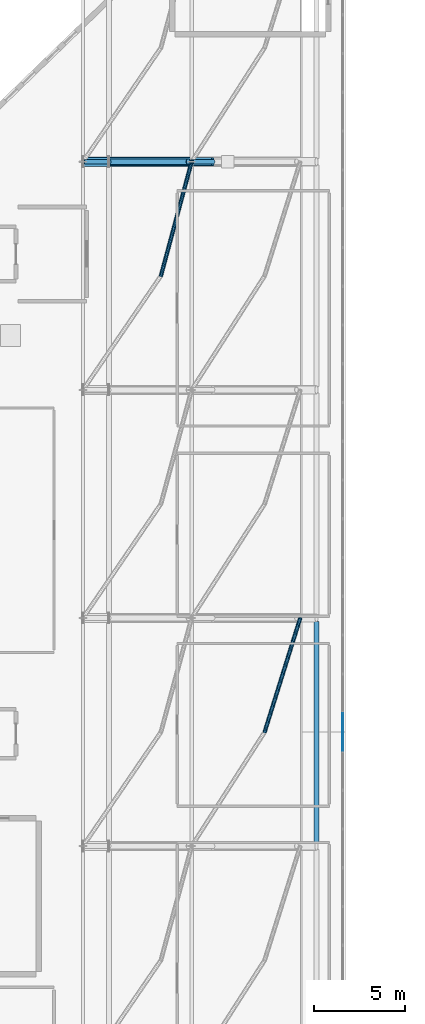
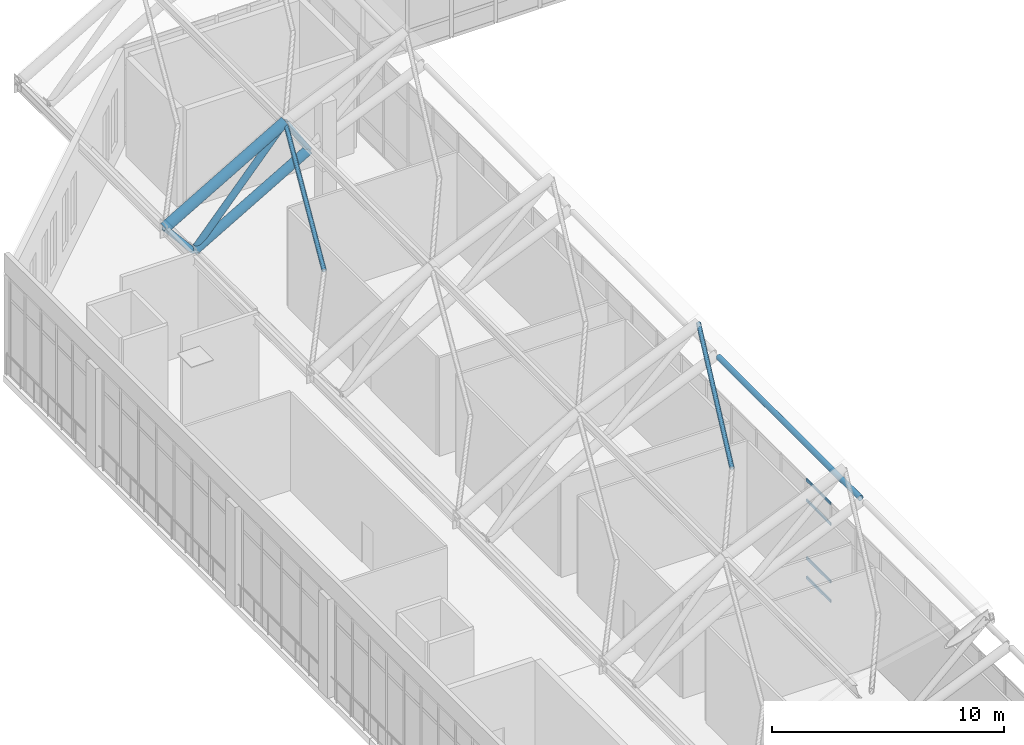
# One storey, part 15 of 42: 12 members, 1 element without a shape of its own.
"""IFC4 building model written with IfcOpenShell, lengths in metres."""

from ifc_helpers import new_model, si_unit, derived_unit, direction, frame, origin, origin_2d, place, context, subcontext, project, spatial, rectangle, hollow_circle, extrude, material, layer, layer_set, material_profile, profile_set, type_object, element, aggregate, save


model = new_model("IFC4")

# Units and contexts
model_context = context("Model", 3, precision=1e-05, world=origin(), true_north=direction((0.0, 1.0)))
body_context = subcontext(model_context, "Body", "Model", "MODEL_VIEW")
ifc_project = project(units=[si_unit("LENGTHUNIT", "METRE"), si_unit("AREAUNIT", "SQUARE_METRE"), si_unit("VOLUMEUNIT", "CUBIC_METRE"), si_unit("PLANEANGLEUNIT", "RADIAN"), si_unit("MASSUNIT", "GRAM", prefix="KILO"), derived_unit("THERMALTRANSMITTANCEUNIT", [(si_unit("MASSUNIT", "GRAM", prefix="KILO"), 1), (si_unit("TIMEUNIT", "SECOND"), -3), (si_unit("THERMODYNAMICTEMPERATUREUNIT", "KELVIN"), -1)])], contexts=[model_context])

# Site, building, storey
site_placement = place(None, origin())
site = spatial("IfcSite", under=ifc_project, at=site_placement, CompositionType="ELEMENT")
building_placement = place(site_placement, origin())
building = spatial("IfcBuilding", under=site, at=building_placement, Name="Valcora Ridge Arena", CompositionType="ELEMENT")
storey_placement = place(building_placement, frame((0.0, 0.0, 26.39990234375)))
storey = spatial("IfcBuildingStorey", under=building, at=storey_placement, Name="L05", CompositionType="ELEMENT", Elevation=26.39990234375)

# Curtain wall, members
ifc_material_1 = material(Name="Anodised dark bronze architectural aluminium 6063-T6", Category="aluminium")
ifc_layer = layer(ifc_material_1, 0.14990234375, Name="Anodised dark bronze architectural aluminium 6063-T6")
ifc_layer_set = layer_set([ifc_layer], Name="Anodised dark bronze architectural aluminium 6063-T6")
curtain_wall_type = type_object("IfcCurtainWallType", Name="TY-CURTAINWALL-CW-V1-SKY-878X52", PredefinedType="NOTDEFINED", material=ifc_layer_set)
curtain_wall_placement = place(storey_placement, origin())
curtain_wall = element("IfcCurtainWall", 1, at=curtain_wall_placement, inside=storey, type_object=curtain_wall_type, Name="CW-V1-SKY-878X52 CW-0171", PredefinedType="NOTDEFINED")
ifc_material_profile_1 = material_profile(ifc_material_1, rectangle(XDim=0.050048828125, YDim=0.14990234375, at=origin_2d()), Name="ALU TRANSOM 50x150")
ifc_profile_set_1 = profile_set([ifc_material_profile_1], Name="Anodised dark bronze architectural aluminium 6063-T6")
member_type_1 = type_object("IfcMemberType", Name="TY-MEM-CWT-50x150", PredefinedType="USERDEFINED", material=ifc_profile_set_1)
member_1_placement = place(storey_placement, frame((38.35009765625, 63.053955078125, 0.025146484375), z_axis=(0.0, 1.0, 0.0), x_axis=(-1.0, 0.0, 0.0)))
member_1 = element("IfcMember", 2, at=member_1_placement, type_object=member_type_1, Name="CW-0171/CWT-50x150/T20-00", ObjectType="TRANSOM", PredefinedType="USERDEFINED", context=body_context, shape_type="SweptSolid", body=[
    extrude(rectangle(XDim=0.050048828125, YDim=0.14990234375, at=origin_2d()), origin(), (0.0, 0.0, 1.0), 2.092041015625),
])
member_2_placement = place(storey_placement, frame((38.35009765625, 63.053955078125, 1.050048828125), z_axis=(0.0, 1.0, 0.0), x_axis=(-1.0, 0.0, 0.0)))
member_2 = element("IfcMember", 3, at=member_2_placement, type_object=member_type_1, Name="CW-0171/CWT-50x150/T20-01", ObjectType="TRANSOM", PredefinedType="USERDEFINED", context=body_context, shape_type="SweptSolid", body=[
    extrude(rectangle(XDim=0.050048828125, YDim=0.14990234375, at=origin_2d()), origin(), (0.0, 0.0, 1.0), 2.092041015625),
])
member_3_placement = place(storey_placement, frame((38.35009765625, 63.053955078125, 4.080078125), z_axis=(0.0, 1.0, 0.0), x_axis=(-1.0, 0.0, 0.0)))
member_3 = element("IfcMember", 4, at=member_3_placement, type_object=member_type_1, Name="CW-0171/CWT-50x150/T20-02", ObjectType="TRANSOM", PredefinedType="USERDEFINED", context=body_context, shape_type="SweptSolid", body=[
    extrude(rectangle(XDim=0.050048828125, YDim=0.14990234375, at=origin_2d()), origin(), (0.0, 0.0, 1.0), 2.092041015625),
])
member_4_placement = place(storey_placement, frame((38.35009765625, 63.053955078125, 5.155029296875), z_axis=(0.0, 1.0, 0.0), x_axis=(-1.0, 0.0, 0.0)))
member_4 = element("IfcMember", 5, at=member_4_placement, type_object=member_type_1, Name="CW-0171/CWT-50x150/T20-03", ObjectType="TRANSOM", PredefinedType="USERDEFINED", context=body_context, shape_type="SweptSolid", body=[
    extrude(rectangle(XDim=0.050048828125, YDim=0.14990234375, at=origin_2d()), origin(), (0.0, 0.0, 1.0), 2.092041015625),
])
aggregate(curtain_wall, [member_1, member_2, member_3, member_4])

# Members
ifc_material_2 = material(Name="Steel ASTM A500 Grade C", Category="steel")
ifc_material_profile_2 = material_profile(ifc_material_2, hollow_circle(Radius=0.228515625, WallThickness=0.01611328125, at=origin_2d()), Name="CHS457X16")
ifc_profile_set_2 = profile_set([ifc_material_profile_2], Name="Steel ASTM A500 Grade C")
member_type_2 = type_object("IfcMemberType", Name="TY-MEMBER-SFBC-457", PredefinedType="CHORD", material=ifc_profile_set_2)
member_5_placement = place(storey_placement, frame((25.438232421875, 95.60009765625, 3.234130859375), z_axis=(0.864898384633, 0.0, 0.501946993476), x_axis=(0.0, 1.0, 0.0)))
element("IfcMember", 6, at=member_5_placement, inside=storey, type_object=member_type_2, Name="SFBC-457 Space Frame Bottom Chord", PredefinedType="CHORD", context=body_context, shape_type="SweptSolid", body=[
    extrude(hollow_circle(Radius=0.228515625, WallThickness=0.01611328125, at=origin_2d()), origin(), (0.0, 0.0, 1.0), 6.62353515625),
])
ifc_material_profile_3 = material_profile(ifc_material_2, hollow_circle(Radius=0.136474609375, WallThickness=0.012451171875, at=origin_2d()), Name="CHS273X12")
ifc_profile_set_3 = profile_set([ifc_material_profile_3], Name="Steel ASTM A500 Grade C")
member_type_3 = type_object("IfcMemberType", Name="TY-MEMBER-SFBT-273", PredefinedType="STRUT", material=ifc_profile_set_3)
member_6_placement = place(storey_placement, frame((36.895751953125, 57.97998046875, 9.039306640625), z_axis=(0.0, 1.0, 0.0), x_axis=(-1.0, 0.0, 0.0)))
element("IfcMember", 7, at=member_6_placement, inside=storey, type_object=member_type_3, Name="SFBT-273 Space Frame Bottom Strut", PredefinedType="STRUT", context=body_context, shape_type="SweptSolid", body=[
    extrude(hollow_circle(Radius=0.136474609375, WallThickness=0.012451171875, at=origin_2d()), origin(), (0.0, 0.0, 1.0), 12.239990234375),
])
ifc_material_profile_4 = material_profile(ifc_material_2, hollow_circle(Radius=0.136474609375, WallThickness=0.012451171875, at=origin_2d()), Name="CHS273X12")
ifc_profile_set_4 = profile_set([ifc_material_profile_4], Name="Steel ASTM A500 Grade C")
member_type_4 = type_object("IfcMemberType", Name="TY-MEMBER-SFKP-273", PredefinedType="POST", material=ifc_profile_set_4)
member_7_placement = place(storey_placement, frame((25.438232421875, 95.60009765625, 3.234130859375), z_axis=(-0.642337596391, 0.0, 0.766421823974), x_axis=(0.0, -1.0, 0.0)))
element("IfcMember", 8, at=member_7_placement, inside=storey, type_object=member_type_4, Name="SFKP-273 Space Frame King Post", PredefinedType="POST", context=body_context, shape_type="SweptSolid", body=[
    extrude(hollow_circle(Radius=0.136474609375, WallThickness=0.012451171875, at=origin_2d()), origin(), (0.0, 0.0, 1.0), 2.239013671875),
])
member_8_placement = place(storey_placement, frame((31.1669921875, 95.60009765625, 6.558837890625), z_axis=(-0.528755468485, 0.0, 0.848774207047), x_axis=(0.0, -1.0, 0.0)))
element("IfcMember", 9, at=member_8_placement, inside=storey, type_object=member_type_4, Name="SFKP-273 Space Frame King Post", PredefinedType="POST", context=body_context, shape_type="SweptSolid", body=[
    extrude(hollow_circle(Radius=0.136474609375, WallThickness=0.012451171875, at=origin_2d()), origin(), (0.0, 0.0, 1.0), 2.20703125),
])
ifc_material_profile_5 = material_profile(ifc_material_2, hollow_circle(Radius=0.109619140625, WallThickness=0.010009765625, at=origin_2d()), Name="CHS219X10")
ifc_profile_set_5 = profile_set([ifc_material_profile_5], Name="Steel ASTM A500 Grade C")
member_type_5 = type_object("IfcMemberType", Name="TY-MEMBER-SFST-219", PredefinedType="STRUT", material=ifc_profile_set_5)
member_9_placement = place(storey_placement, frame((34.031494140625, 64.10009765625, 7.895751953125), z_axis=(0.269415146717, 0.862208662518, 0.42896585062), x_axis=(-0.954487875904, 0.298249718781, 0.0)))
element("IfcMember", 10, at=member_9_placement, inside=storey, type_object=member_type_5, Name="SFST-219 Space Frame Tie Strut", PredefinedType="STRUT", context=body_context, shape_type="SweptSolid", body=[
    extrude(hollow_circle(Radius=0.109619140625, WallThickness=0.010009765625, at=origin_2d()), origin(), (0.0, 0.0, 1.0), 7.306640625),
])
member_10_placement = place(storey_placement, frame((28.302734375, 89.300048828125, 5.01220703125), z_axis=(0.230399293261, 0.855214868037, 0.464245296317), x_axis=(-0.965573476233, 0.260130471101, 0.0)))
element("IfcMember", 11, at=member_10_placement, inside=storey, type_object=member_type_5, Name="SFST-219 Space Frame Tie Strut", PredefinedType="STRUT", context=body_context, shape_type="SweptSolid", body=[
    extrude(hollow_circle(Radius=0.109619140625, WallThickness=0.010009765625, at=origin_2d()), origin(), (0.0, 0.0, 1.0), 7.36669921875),
])
ifc_material_profile_6 = material_profile(ifc_material_2, hollow_circle(Radius=0.25390625, WallThickness=0.01611328125, at=origin_2d()), Name="CHS508X16")
ifc_profile_set_6 = profile_set([ifc_material_profile_6], Name="Steel ASTM A500 Grade C")
member_type_6 = type_object("IfcMemberType", Name="TY-MEMBER-SFTC-508", PredefinedType="CHORD", material=ifc_profile_set_6)
member_11_placement = place(storey_placement, frame((24.0, 95.60009765625, 4.9501953125), z_axis=(0.864910194439, 0.0, 0.501926643599), x_axis=(0.0, 1.0, 0.0)))
element("IfcMember", 12, at=member_11_placement, inside=storey, type_object=member_type_6, Name="SFTC-508 Space Frame Top Chord", PredefinedType="CHORD", context=body_context, shape_type="SweptSolid", body=[
    extrude(hollow_circle(Radius=0.25390625, WallThickness=0.01611328125, at=origin_2d()), origin(), (0.0, 0.0, 1.0), 6.937255859375),
])
ifc_material_profile_7 = material_profile(ifc_material_2, hollow_circle(Radius=0.161865234375, WallThickness=0.012451171875, at=origin_2d()), Name="CHS323X12")
ifc_profile_set_7 = profile_set([ifc_material_profile_7], Name="Steel ASTM A500 Grade C")
member_type_7 = type_object("IfcMemberType", Name="TY-MEMBER-SFWB-323", PredefinedType="BRACE", material=ifc_profile_set_7)
member_12_placement = place(storey_placement, frame((25.543701171875, 95.60009765625, 3.3544921875), z_axis=(0.659614231512, 0.0, 0.751604327813), x_axis=(0.0, 1.0, 0.0)))
element("IfcMember", 13, at=member_12_placement, inside=storey, type_object=member_type_7, Name="SFWB-323 Space Frame Diagonal Brace", PredefinedType="BRACE", context=body_context, shape_type="SweptSolid", body=[
    extrude(hollow_circle(Radius=0.161865234375, WallThickness=0.012451171875, at=origin_2d()), origin(), (0.0, 0.0, 1.0), 6.475830078125),
])

save(model, "model.ifc")
